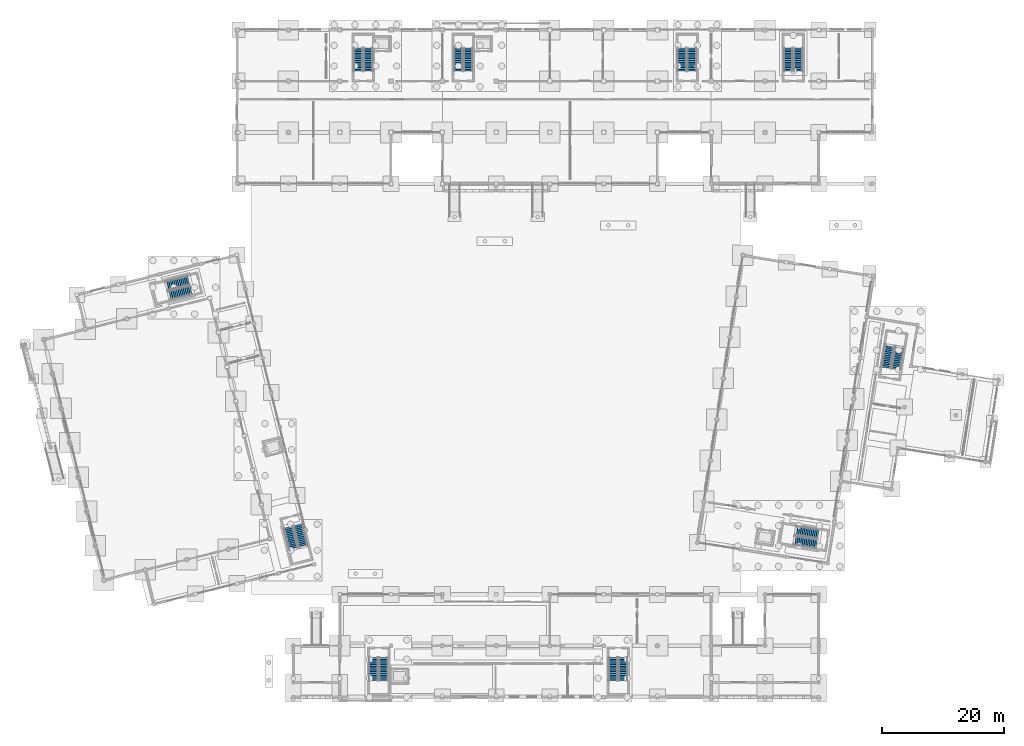
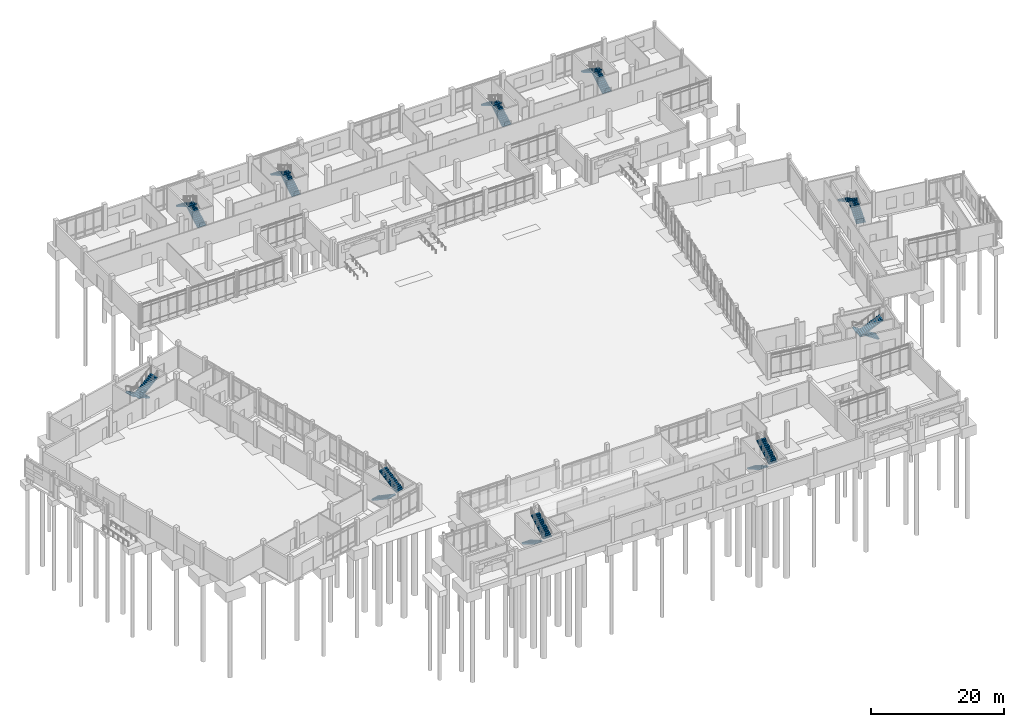
# One storey, part 52 of 72: 20 stair flights, 10 elements without a shape of their own.
"""IFC4 building model written with IfcOpenShell, lengths in metres."""

from ifc_helpers import new_model, si_unit, direction, frame, origin, place, context, subcontext, project, spatial, polyline, outline, extrude, material, type_object, element, aggregate, save


model = new_model("IFC4")

# Units and contexts
model_context = context("Model", 3, precision=1e-05, world=origin(), true_north=direction((0.0, 1.0)))
body_context = subcontext(model_context, "Body", "Model", "MODEL_VIEW")
ifc_project = project(units=[si_unit("LENGTHUNIT", "METRE"), si_unit("AREAUNIT", "SQUARE_METRE"), si_unit("VOLUMEUNIT", "CUBIC_METRE"), si_unit("PLANEANGLEUNIT", "RADIAN"), si_unit("MASSUNIT", "GRAM", prefix="KILO")], contexts=[model_context])

# Site, building, storey
site_placement = place(None, origin())
site = spatial("IfcSite", under=ifc_project, at=site_placement, CompositionType="ELEMENT")
building_placement = place(site_placement, origin())
building = spatial("IfcBuilding", under=site, at=building_placement, Name="Cinderway Yard Community Centre", CompositionType="ELEMENT")
storey_placement = place(building_placement, origin())
storey = spatial("IfcBuildingStorey", under=building, at=storey_placement, Name="L00", CompositionType="ELEMENT", Elevation=0.0)

# Stair, stair flights
ifc_material = material(Name="Concrete C40/50", Category="concrete")
stair_type_1 = type_object("IfcStairType", Name="INT-STR-480A", PredefinedType="HALF_TURN_STAIR", material=ifc_material)
stair_1_placement = place(storey_placement, origin())
stair_1 = element("IfcStair", 1, at=stair_1_placement, inside=storey, type_object=stair_type_1, Name="L00 Core C1 Exit Stair ST-01", PredefinedType="HALF_TURN_STAIR")
stair_flight_type_1 = type_object("IfcStairFlightType", Name="INT-FLT-480A", PredefinedType="STRAIGHT", material=ifc_material)
stair_flight_1_placement = place(storey_placement, frame((63.06005859375, 108.429931640625, 0.0), z_axis=(0.0, 0.0, 1.0), x_axis=(0.0, 1.0, 0.0)))
stair_flight_1 = element("IfcStairFlight", 2, at=stair_flight_1_placement, type_object=stair_flight_type_1, Name="ST-01 flight 1", NumberOfRisers=14, NumberOfTreads=13, PredefinedType="STRAIGHT", RiserHeight=0.171428571, TreadLength=0.29, context=body_context, shape_type="SweptSolid", body=[
    extrude(outline(polyline([(0.0, 0.0), (0.0, 0.17138671875), (0.2900390625, 0.17138671875), (0.2900390625, 0.3427734375), (0.580078125, 0.3427734375), (0.580078125, 0.514404296875), (0.8701171875, 0.514404296875), (0.8701171875, 0.685791015625), (1.159912109375, 0.685791015625), (1.159912109375, 0.857177734375), (1.449951171875, 0.857177734375), (1.449951171875, 1.028564453125), (1.739990234375, 1.028564453125), (1.739990234375, 1.199951171875), (2.030029296875, 1.199951171875), (2.030029296875, 1.371337890625), (2.320068359375, 1.371337890625), (2.320068359375, 1.54296875), (2.610107421875, 1.54296875), (2.610107421875, 1.71435546875), (2.89990234375, 1.71435546875), (2.89990234375, 1.8857421875), (3.18994140625, 1.8857421875), (3.18994140625, 2.05712890625), (3.47998046875, 2.05712890625), (3.47998046875, 2.228515625), (3.77001953125, 2.228515625), (3.77001953125, 2.39990234375), (3.77001953125, 2.042724609375), (0.314208984375, 0.0), (0.0, 0.0)])), frame((0.0, 0.739990234375, 0.0), z_axis=(0.0, -1.0, 0.0), x_axis=(1.0, 0.0, 0.0)), (0.0, 0.0, 1.0), 1.47998046875),
])
stair_flight_2_placement = place(storey_placement, frame((61.419921875, 112.199951171875, 2.39990234375), z_axis=(0.0, 0.0, 1.0), x_axis=(0.0, -1.0, 0.0)))
stair_flight_2 = element("IfcStairFlight", 3, at=stair_flight_2_placement, type_object=stair_flight_type_1, Name="ST-01 flight 2", NumberOfRisers=14, NumberOfTreads=13, PredefinedType="STRAIGHT", RiserHeight=0.171428571, TreadLength=0.29, context=body_context, shape_type="SweptSolid", body=[
    extrude(outline(polyline([(0.0, 0.0), (0.0, 0.17138671875), (0.2900390625, 0.17138671875), (0.2900390625, 0.3427734375), (0.580078125, 0.3427734375), (0.580078125, 0.514404296875), (0.8701171875, 0.514404296875), (0.8701171875, 0.685791015625), (1.159912109375, 0.685791015625), (1.159912109375, 0.857177734375), (1.449951171875, 0.857177734375), (1.449951171875, 1.028564453125), (1.739990234375, 1.028564453125), (1.739990234375, 1.199951171875), (2.030029296875, 1.199951171875), (2.030029296875, 1.371337890625), (2.320068359375, 1.371337890625), (2.320068359375, 1.54296875), (2.610107421875, 1.54296875), (2.610107421875, 1.71435546875), (2.89990234375, 1.71435546875), (2.89990234375, 1.8857421875), (3.18994140625, 1.8857421875), (3.18994140625, 2.05712890625), (3.47998046875, 2.05712890625), (3.47998046875, 2.228515625), (3.77001953125, 2.228515625), (3.77001953125, 2.39990234375), (3.77001953125, 2.042724609375), (0.314208984375, 0.0), (0.0, 0.0)])), frame((0.0, 0.739990234375, 0.0), z_axis=(0.0, -1.0, 0.0), x_axis=(1.0, 0.0, 0.0)), (0.0, 0.0, 1.0), 1.47998046875),
])
aggregate(stair_1, [stair_flight_1, stair_flight_2])

stair_2_placement = place(storey_placement, origin())
stair_2 = element("IfcStair", 4, at=stair_2_placement, inside=storey, type_object=stair_type_1, Name="L00 Core C2B Exit Stair ST-03", PredefinedType="HALF_TURN_STAIR")
stair_flight_3_placement = place(storey_placement, frame((116.06005859375, 108.429931640625, 0.0), z_axis=(0.0, 0.0, 1.0), x_axis=(0.0, 1.0, 0.0)))
stair_flight_3 = element("IfcStairFlight", 5, at=stair_flight_3_placement, type_object=stair_flight_type_1, Name="ST-03 flight 1", NumberOfRisers=14, NumberOfTreads=13, PredefinedType="STRAIGHT", RiserHeight=0.171428571, TreadLength=0.29, context=body_context, shape_type="SweptSolid", body=[
    extrude(outline(polyline([(0.0, 0.0), (0.0, 0.17138671875), (0.2900390625, 0.17138671875), (0.2900390625, 0.3427734375), (0.580078125, 0.3427734375), (0.580078125, 0.514404296875), (0.8701171875, 0.514404296875), (0.8701171875, 0.685791015625), (1.159912109375, 0.685791015625), (1.159912109375, 0.857177734375), (1.449951171875, 0.857177734375), (1.449951171875, 1.028564453125), (1.739990234375, 1.028564453125), (1.739990234375, 1.199951171875), (2.030029296875, 1.199951171875), (2.030029296875, 1.371337890625), (2.320068359375, 1.371337890625), (2.320068359375, 1.54296875), (2.610107421875, 1.54296875), (2.610107421875, 1.71435546875), (2.89990234375, 1.71435546875), (2.89990234375, 1.8857421875), (3.18994140625, 1.8857421875), (3.18994140625, 2.05712890625), (3.47998046875, 2.05712890625), (3.47998046875, 2.228515625), (3.77001953125, 2.228515625), (3.77001953125, 2.39990234375), (3.77001953125, 2.042724609375), (0.314208984375, 0.0), (0.0, 0.0)])), frame((0.0, 0.739990234375, 0.0), z_axis=(0.0, -1.0, 0.0), x_axis=(1.0, 0.0, 0.0)), (0.0, 0.0, 1.0), 1.47998046875),
])
stair_flight_4_placement = place(storey_placement, frame((114.419921875, 112.199951171875, 2.39990234375), z_axis=(0.0, 0.0, 1.0), x_axis=(0.0, -1.0, 0.0)))
stair_flight_4 = element("IfcStairFlight", 6, at=stair_flight_4_placement, type_object=stair_flight_type_1, Name="ST-03 flight 2", NumberOfRisers=14, NumberOfTreads=13, PredefinedType="STRAIGHT", RiserHeight=0.171428571, TreadLength=0.29, context=body_context, shape_type="SweptSolid", body=[
    extrude(outline(polyline([(0.0, 0.0), (0.0, 0.17138671875), (0.2900390625, 0.17138671875), (0.2900390625, 0.3427734375), (0.580078125, 0.3427734375), (0.580078125, 0.514404296875), (0.8701171875, 0.514404296875), (0.8701171875, 0.685791015625), (1.159912109375, 0.685791015625), (1.159912109375, 0.857177734375), (1.449951171875, 0.857177734375), (1.449951171875, 1.028564453125), (1.739990234375, 1.028564453125), (1.739990234375, 1.199951171875), (2.030029296875, 1.199951171875), (2.030029296875, 1.371337890625), (2.320068359375, 1.371337890625), (2.320068359375, 1.54296875), (2.610107421875, 1.54296875), (2.610107421875, 1.71435546875), (2.89990234375, 1.71435546875), (2.89990234375, 1.8857421875), (3.18994140625, 1.8857421875), (3.18994140625, 2.05712890625), (3.47998046875, 2.05712890625), (3.47998046875, 2.228515625), (3.77001953125, 2.228515625), (3.77001953125, 2.39990234375), (3.77001953125, 2.042724609375), (0.314208984375, 0.0), (0.0, 0.0)])), frame((0.0, 0.739990234375, 0.0), z_axis=(0.0, -1.0, 0.0), x_axis=(1.0, 0.0, 0.0)), (0.0, 0.0, 1.0), 1.47998046875),
])
aggregate(stair_2, [stair_flight_3, stair_flight_4])

stair_3_placement = place(storey_placement, origin())
stair_3 = element("IfcStair", 7, at=stair_3_placement, inside=storey, type_object=stair_type_1, Name="L00 Core C3A Exit Stair ST-05", PredefinedType="HALF_TURN_STAIR")
stair_flight_5_placement = place(storey_placement, frame((49.99609375, 33.798095703125, 0.0), z_axis=(0.0, 0.0, 1.0), x_axis=(0.2419218956, -0.970295726276, 0.0)))
stair_flight_5 = element("IfcStairFlight", 8, at=stair_flight_5_placement, type_object=stair_flight_type_1, Name="ST-05 flight 1", NumberOfRisers=14, NumberOfTreads=13, PredefinedType="STRAIGHT", RiserHeight=0.171428571, TreadLength=0.29, context=body_context, shape_type="SweptSolid", body=[
    extrude(outline(polyline([(0.0, 0.0), (0.0, 0.17138671875), (0.2900390625, 0.17138671875), (0.2900390625, 0.3427734375), (0.580078125, 0.3427734375), (0.580078125, 0.514404296875), (0.8701171875, 0.514404296875), (0.8701171875, 0.685791015625), (1.159912109375, 0.685791015625), (1.159912109375, 0.857177734375), (1.449951171875, 0.857177734375), (1.449951171875, 1.028564453125), (1.739990234375, 1.028564453125), (1.739990234375, 1.199951171875), (2.030029296875, 1.199951171875), (2.030029296875, 1.371337890625), (2.320068359375, 1.371337890625), (2.320068359375, 1.54296875), (2.610107421875, 1.54296875), (2.610107421875, 1.71435546875), (2.89990234375, 1.71435546875), (2.89990234375, 1.8857421875), (3.18994140625, 1.8857421875), (3.18994140625, 2.05712890625), (3.47998046875, 2.05712890625), (3.47998046875, 2.228515625), (3.77001953125, 2.228515625), (3.77001953125, 2.39990234375), (3.77001953125, 2.042724609375), (0.314208984375, 0.0), (0.0, 0.0)])), frame((0.0, 0.739990234375, 0.0), z_axis=(0.0, -1.0, 0.0), x_axis=(1.0, 0.0, 0.0)), (0.0, 0.0, 1.0), 1.47998046875),
])
stair_flight_6_placement = place(storey_placement, frame((52.49951171875, 30.53662109375, 2.39990234375), z_axis=(0.0, 0.0, 1.0), x_axis=(-0.2419218956, 0.970295726276, 0.0)))
stair_flight_6 = element("IfcStairFlight", 9, at=stair_flight_6_placement, type_object=stair_flight_type_1, Name="ST-05 flight 2", NumberOfRisers=14, NumberOfTreads=13, PredefinedType="STRAIGHT", RiserHeight=0.171428571, TreadLength=0.29, context=body_context, shape_type="SweptSolid", body=[
    extrude(outline(polyline([(0.0, 0.0), (0.0, 0.17138671875), (0.2900390625, 0.17138671875), (0.2900390625, 0.3427734375), (0.580078125, 0.3427734375), (0.580078125, 0.514404296875), (0.8701171875, 0.514404296875), (0.8701171875, 0.685791015625), (1.159912109375, 0.685791015625), (1.159912109375, 0.857177734375), (1.449951171875, 0.857177734375), (1.449951171875, 1.028564453125), (1.739990234375, 1.028564453125), (1.739990234375, 1.199951171875), (2.030029296875, 1.199951171875), (2.030029296875, 1.371337890625), (2.320068359375, 1.371337890625), (2.320068359375, 1.54296875), (2.610107421875, 1.54296875), (2.610107421875, 1.71435546875), (2.89990234375, 1.71435546875), (2.89990234375, 1.8857421875), (3.18994140625, 1.8857421875), (3.18994140625, 2.05712890625), (3.47998046875, 2.05712890625), (3.47998046875, 2.228515625), (3.77001953125, 2.228515625), (3.77001953125, 2.39990234375), (3.77001953125, 2.042724609375), (0.314208984375, 0.0), (0.0, 0.0)])), frame((0.0, 0.739990234375, 0.0), z_axis=(0.0, -1.0, 0.0), x_axis=(1.0, 0.0, 0.0)), (0.0, 0.0, 1.0), 1.47998046875),
])
aggregate(stair_3, [stair_flight_5, stair_flight_6])

stair_4_placement = place(storey_placement, origin())
stair_4 = element("IfcStair", 10, at=stair_4_placement, inside=storey, type_object=stair_type_1, Name="L00 Core C4A Exit Stair ST-07", PredefinedType="HALF_TURN_STAIR")
stair_flight_7_placement = place(storey_placement, frame((136.716552734375, 32.666748046875, 0.0), z_axis=(0.0, 0.0, 1.0), x_axis=(-0.987688340595, 0.15643446504, 0.0)))
stair_flight_7 = element("IfcStairFlight", 11, at=stair_flight_7_placement, type_object=stair_flight_type_1, Name="ST-07 flight 1", NumberOfRisers=14, NumberOfTreads=13, PredefinedType="STRAIGHT", RiserHeight=0.171428571, TreadLength=0.29, context=body_context, shape_type="SweptSolid", body=[
    extrude(outline(polyline([(0.0, 0.0), (0.0, 0.17138671875), (0.2900390625, 0.17138671875), (0.2900390625, 0.3427734375), (0.580078125, 0.3427734375), (0.580078125, 0.514404296875), (0.8701171875, 0.514404296875), (0.8701171875, 0.685791015625), (1.159912109375, 0.685791015625), (1.159912109375, 0.857177734375), (1.449951171875, 0.857177734375), (1.449951171875, 1.028564453125), (1.739990234375, 1.028564453125), (1.739990234375, 1.199951171875), (2.030029296875, 1.199951171875), (2.030029296875, 1.371337890625), (2.320068359375, 1.371337890625), (2.320068359375, 1.54296875), (2.610107421875, 1.54296875), (2.610107421875, 1.71435546875), (2.89990234375, 1.71435546875), (2.89990234375, 1.8857421875), (3.18994140625, 1.8857421875), (3.18994140625, 2.05712890625), (3.47998046875, 2.05712890625), (3.47998046875, 2.228515625), (3.77001953125, 2.228515625), (3.77001953125, 2.39990234375), (3.77001953125, 2.042724609375), (0.314208984375, 0.0), (0.0, 0.0)])), frame((0.0, 0.739990234375, 0.0), z_axis=(0.0, -1.0, 0.0), x_axis=(1.0, 0.0, 0.0)), (0.0, 0.0, 1.0), 1.47998046875),
])
stair_flight_8_placement = place(storey_placement, frame((132.736328125, 31.636474609375, 2.39990234375), z_axis=(0.0, 0.0, 1.0), x_axis=(0.987688340595, -0.15643446504, 0.0)))
stair_flight_8 = element("IfcStairFlight", 12, at=stair_flight_8_placement, type_object=stair_flight_type_1, Name="ST-07 flight 2", NumberOfRisers=14, NumberOfTreads=13, PredefinedType="STRAIGHT", RiserHeight=0.171428571, TreadLength=0.29, context=body_context, shape_type="SweptSolid", body=[
    extrude(outline(polyline([(0.0, 0.0), (0.0, 0.17138671875), (0.2900390625, 0.17138671875), (0.2900390625, 0.3427734375), (0.580078125, 0.3427734375), (0.580078125, 0.514404296875), (0.8701171875, 0.514404296875), (0.8701171875, 0.685791015625), (1.159912109375, 0.685791015625), (1.159912109375, 0.857177734375), (1.449951171875, 0.857177734375), (1.449951171875, 1.028564453125), (1.739990234375, 1.028564453125), (1.739990234375, 1.199951171875), (2.030029296875, 1.199951171875), (2.030029296875, 1.371337890625), (2.320068359375, 1.371337890625), (2.320068359375, 1.54296875), (2.610107421875, 1.54296875), (2.610107421875, 1.71435546875), (2.89990234375, 1.71435546875), (2.89990234375, 1.8857421875), (3.18994140625, 1.8857421875), (3.18994140625, 2.05712890625), (3.47998046875, 2.05712890625), (3.47998046875, 2.228515625), (3.77001953125, 2.228515625), (3.77001953125, 2.39990234375), (3.77001953125, 2.042724609375), (0.314208984375, 0.0), (0.0, 0.0)])), frame((0.0, 0.739990234375, 0.0), z_axis=(0.0, -1.0, 0.0), x_axis=(1.0, 0.0, 0.0)), (0.0, 0.0, 1.0), 1.47998046875),
])
aggregate(stair_4, [stair_flight_7, stair_flight_8])

stair_5_placement = place(storey_placement, origin())
stair_5 = element("IfcStair", 13, at=stair_5_placement, inside=storey, type_object=stair_type_1, Name="L00 Core C5A Exit Stair ST-09", PredefinedType="HALF_TURN_STAIR")
stair_flight_9_placement = place(storey_placement, frame((63.93994140625, 12.469970703125, 0.0), z_axis=(0.0, 0.0, 1.0), x_axis=(0.0, -1.0, 0.0)))
stair_flight_9 = element("IfcStairFlight", 14, at=stair_flight_9_placement, type_object=stair_flight_type_1, Name="ST-09 flight 1", NumberOfRisers=14, NumberOfTreads=13, PredefinedType="STRAIGHT", RiserHeight=0.171428571, TreadLength=0.29, context=body_context, shape_type="SweptSolid", body=[
    extrude(outline(polyline([(0.0, 0.0), (0.0, 0.17138671875), (0.2900390625, 0.17138671875), (0.2900390625, 0.3427734375), (0.580078125, 0.3427734375), (0.580078125, 0.514404296875), (0.8701171875, 0.514404296875), (0.8701171875, 0.685791015625), (1.159912109375, 0.685791015625), (1.159912109375, 0.857177734375), (1.449951171875, 0.857177734375), (1.449951171875, 1.028564453125), (1.739990234375, 1.028564453125), (1.739990234375, 1.199951171875), (2.030029296875, 1.199951171875), (2.030029296875, 1.371337890625), (2.320068359375, 1.371337890625), (2.320068359375, 1.54296875), (2.610107421875, 1.54296875), (2.610107421875, 1.71435546875), (2.89990234375, 1.71435546875), (2.89990234375, 1.8857421875), (3.18994140625, 1.8857421875), (3.18994140625, 2.05712890625), (3.47998046875, 2.05712890625), (3.47998046875, 2.228515625), (3.77001953125, 2.228515625), (3.77001953125, 2.39990234375), (3.77001953125, 2.042724609375), (0.314208984375, 0.0), (0.0, 0.0)])), frame((0.0, 0.739990234375, 0.0), z_axis=(0.0, -1.0, 0.0), x_axis=(1.0, 0.0, 0.0)), (0.0, 0.0, 1.0), 1.47998046875),
])
stair_flight_10_placement = place(storey_placement, frame((65.580078125, 8.699951171875, 2.39990234375), z_axis=(0.0, 0.0, 1.0), x_axis=(0.0, 1.0, 0.0)))
stair_flight_10 = element("IfcStairFlight", 15, at=stair_flight_10_placement, type_object=stair_flight_type_1, Name="ST-09 flight 2", NumberOfRisers=14, NumberOfTreads=13, PredefinedType="STRAIGHT", RiserHeight=0.171428571, TreadLength=0.29, context=body_context, shape_type="SweptSolid", body=[
    extrude(outline(polyline([(0.0, 0.0), (0.0, 0.17138671875), (0.2900390625, 0.17138671875), (0.2900390625, 0.3427734375), (0.580078125, 0.3427734375), (0.580078125, 0.514404296875), (0.8701171875, 0.514404296875), (0.8701171875, 0.685791015625), (1.159912109375, 0.685791015625), (1.159912109375, 0.857177734375), (1.449951171875, 0.857177734375), (1.449951171875, 1.028564453125), (1.739990234375, 1.028564453125), (1.739990234375, 1.199951171875), (2.030029296875, 1.199951171875), (2.030029296875, 1.371337890625), (2.320068359375, 1.371337890625), (2.320068359375, 1.54296875), (2.610107421875, 1.54296875), (2.610107421875, 1.71435546875), (2.89990234375, 1.71435546875), (2.89990234375, 1.8857421875), (3.18994140625, 1.8857421875), (3.18994140625, 2.05712890625), (3.47998046875, 2.05712890625), (3.47998046875, 2.228515625), (3.77001953125, 2.228515625), (3.77001953125, 2.39990234375), (3.77001953125, 2.042724609375), (0.314208984375, 0.0), (0.0, 0.0)])), frame((0.0, 0.739990234375, 0.0), z_axis=(0.0, -1.0, 0.0), x_axis=(1.0, 0.0, 0.0)), (0.0, 0.0, 1.0), 1.47998046875),
])
aggregate(stair_5, [stair_flight_9, stair_flight_10])

stair_type_2 = type_object("IfcStairType", Name="INT-STR-480B", PredefinedType="HALF_TURN_STAIR", material=ifc_material)
stair_6_placement = place(storey_placement, origin())
stair_6 = element("IfcStair", 16, at=stair_6_placement, inside=storey, type_object=stair_type_2, Name="L00 Core C2A Exit Stair ST-02", PredefinedType="HALF_TURN_STAIR")
stair_flight_type_2 = type_object("IfcStairFlightType", Name="INT-FLT-480B", PredefinedType="STRAIGHT", material=ifc_material)
stair_flight_11_placement = place(storey_placement, frame((79.4599609375, 108.429931640625, 0.0), z_axis=(0.0, 0.0, 1.0), x_axis=(0.0, 1.0, 0.0)))
stair_flight_11 = element("IfcStairFlight", 17, at=stair_flight_11_placement, type_object=stair_flight_type_2, Name="ST-02 flight 1", NumberOfRisers=14, NumberOfTreads=13, PredefinedType="STRAIGHT", RiserHeight=0.171428571, TreadLength=0.29, context=body_context, shape_type="SweptSolid", body=[
    extrude(outline(polyline([(0.0, 0.0), (0.0, 0.17138671875), (0.2900390625, 0.17138671875), (0.2900390625, 0.3427734375), (0.580078125, 0.3427734375), (0.580078125, 0.514404296875), (0.8701171875, 0.514404296875), (0.8701171875, 0.685791015625), (1.159912109375, 0.685791015625), (1.159912109375, 0.857177734375), (1.449951171875, 0.857177734375), (1.449951171875, 1.028564453125), (1.739990234375, 1.028564453125), (1.739990234375, 1.199951171875), (2.030029296875, 1.199951171875), (2.030029296875, 1.371337890625), (2.320068359375, 1.371337890625), (2.320068359375, 1.54296875), (2.610107421875, 1.54296875), (2.610107421875, 1.71435546875), (2.89990234375, 1.71435546875), (2.89990234375, 1.8857421875), (3.18994140625, 1.8857421875), (3.18994140625, 2.05712890625), (3.47998046875, 2.05712890625), (3.47998046875, 2.228515625), (3.77001953125, 2.228515625), (3.77001953125, 2.39990234375), (3.77001953125, 2.042724609375), (0.314208984375, 0.0), (0.0, 0.0)])), frame((0.0, 0.739990234375, 0.0), z_axis=(0.0, -1.0, 0.0), x_axis=(1.0, 0.0, 0.0)), (0.0, 0.0, 1.0), 1.47998046875),
])
stair_flight_12_placement = place(storey_placement, frame((77.820068359375, 112.199951171875, 2.39990234375), z_axis=(0.0, 0.0, 1.0), x_axis=(0.0, -1.0, 0.0)))
stair_flight_12 = element("IfcStairFlight", 18, at=stair_flight_12_placement, type_object=stair_flight_type_2, Name="ST-02 flight 2", NumberOfRisers=14, NumberOfTreads=13, PredefinedType="STRAIGHT", RiserHeight=0.171428571, TreadLength=0.29, context=body_context, shape_type="SweptSolid", body=[
    extrude(outline(polyline([(0.0, 0.0), (0.0, 0.17138671875), (0.2900390625, 0.17138671875), (0.2900390625, 0.3427734375), (0.580078125, 0.3427734375), (0.580078125, 0.514404296875), (0.8701171875, 0.514404296875), (0.8701171875, 0.685791015625), (1.159912109375, 0.685791015625), (1.159912109375, 0.857177734375), (1.449951171875, 0.857177734375), (1.449951171875, 1.028564453125), (1.739990234375, 1.028564453125), (1.739990234375, 1.199951171875), (2.030029296875, 1.199951171875), (2.030029296875, 1.371337890625), (2.320068359375, 1.371337890625), (2.320068359375, 1.54296875), (2.610107421875, 1.54296875), (2.610107421875, 1.71435546875), (2.89990234375, 1.71435546875), (2.89990234375, 1.8857421875), (3.18994140625, 1.8857421875), (3.18994140625, 2.05712890625), (3.47998046875, 2.05712890625), (3.47998046875, 2.228515625), (3.77001953125, 2.228515625), (3.77001953125, 2.39990234375), (3.77001953125, 2.042724609375), (0.314208984375, 0.0), (0.0, 0.0)])), frame((0.0, 0.739990234375, 0.0), z_axis=(0.0, -1.0, 0.0), x_axis=(1.0, 0.0, 0.0)), (0.0, 0.0, 1.0), 1.47998046875),
])
aggregate(stair_6, [stair_flight_11, stair_flight_12])

stair_7_placement = place(storey_placement, origin())
stair_7 = element("IfcStair", 19, at=stair_7_placement, inside=storey, type_object=stair_type_2, Name="L00 Core C2C Exit Stair ST-04", PredefinedType="HALF_TURN_STAIR")
stair_flight_13_placement = place(storey_placement, frame((133.4599609375, 108.429931640625, 0.0), z_axis=(0.0, 0.0, 1.0), x_axis=(0.0, 1.0, 0.0)))
stair_flight_13 = element("IfcStairFlight", 20, at=stair_flight_13_placement, type_object=stair_flight_type_2, Name="ST-04 flight 1", NumberOfRisers=14, NumberOfTreads=13, PredefinedType="STRAIGHT", RiserHeight=0.171428571, TreadLength=0.29, context=body_context, shape_type="SweptSolid", body=[
    extrude(outline(polyline([(0.0, 0.0), (0.0, 0.17138671875), (0.2900390625, 0.17138671875), (0.2900390625, 0.3427734375), (0.580078125, 0.3427734375), (0.580078125, 0.514404296875), (0.8701171875, 0.514404296875), (0.8701171875, 0.685791015625), (1.159912109375, 0.685791015625), (1.159912109375, 0.857177734375), (1.449951171875, 0.857177734375), (1.449951171875, 1.028564453125), (1.739990234375, 1.028564453125), (1.739990234375, 1.199951171875), (2.030029296875, 1.199951171875), (2.030029296875, 1.371337890625), (2.320068359375, 1.371337890625), (2.320068359375, 1.54296875), (2.610107421875, 1.54296875), (2.610107421875, 1.71435546875), (2.89990234375, 1.71435546875), (2.89990234375, 1.8857421875), (3.18994140625, 1.8857421875), (3.18994140625, 2.05712890625), (3.47998046875, 2.05712890625), (3.47998046875, 2.228515625), (3.77001953125, 2.228515625), (3.77001953125, 2.39990234375), (3.77001953125, 2.042724609375), (0.314208984375, 0.0), (0.0, 0.0)])), frame((0.0, 0.739990234375, 0.0), z_axis=(0.0, -1.0, 0.0), x_axis=(1.0, 0.0, 0.0)), (0.0, 0.0, 1.0), 1.47998046875),
])
stair_flight_14_placement = place(storey_placement, frame((131.820068359375, 112.199951171875, 2.39990234375), z_axis=(0.0, 0.0, 1.0), x_axis=(0.0, -1.0, 0.0)))
stair_flight_14 = element("IfcStairFlight", 21, at=stair_flight_14_placement, type_object=stair_flight_type_2, Name="ST-04 flight 2", NumberOfRisers=14, NumberOfTreads=13, PredefinedType="STRAIGHT", RiserHeight=0.171428571, TreadLength=0.29, context=body_context, shape_type="SweptSolid", body=[
    extrude(outline(polyline([(0.0, 0.0), (0.0, 0.17138671875), (0.2900390625, 0.17138671875), (0.2900390625, 0.3427734375), (0.580078125, 0.3427734375), (0.580078125, 0.514404296875), (0.8701171875, 0.514404296875), (0.8701171875, 0.685791015625), (1.159912109375, 0.685791015625), (1.159912109375, 0.857177734375), (1.449951171875, 0.857177734375), (1.449951171875, 1.028564453125), (1.739990234375, 1.028564453125), (1.739990234375, 1.199951171875), (2.030029296875, 1.199951171875), (2.030029296875, 1.371337890625), (2.320068359375, 1.371337890625), (2.320068359375, 1.54296875), (2.610107421875, 1.54296875), (2.610107421875, 1.71435546875), (2.89990234375, 1.71435546875), (2.89990234375, 1.8857421875), (3.18994140625, 1.8857421875), (3.18994140625, 2.05712890625), (3.47998046875, 2.05712890625), (3.47998046875, 2.228515625), (3.77001953125, 2.228515625), (3.77001953125, 2.39990234375), (3.77001953125, 2.042724609375), (0.314208984375, 0.0), (0.0, 0.0)])), frame((0.0, 0.739990234375, 0.0), z_axis=(0.0, -1.0, 0.0), x_axis=(1.0, 0.0, 0.0)), (0.0, 0.0, 1.0), 1.47998046875),
])
aggregate(stair_7, [stair_flight_13, stair_flight_14])

stair_8_placement = place(storey_placement, origin())
stair_8 = element("IfcStair", 22, at=stair_8_placement, inside=storey, type_object=stair_type_2, Name="L00 Core C3B Exit Stair ST-06", PredefinedType="HALF_TURN_STAIR")
stair_flight_15_placement = place(storey_placement, frame((33.669921875, 74.18798828125, 0.0), z_axis=(0.0, 0.0, 1.0), x_axis=(-0.970295726276, -0.2419218956, 0.0)))
stair_flight_15 = element("IfcStairFlight", 23, at=stair_flight_15_placement, type_object=stair_flight_type_2, Name="ST-06 flight 1", NumberOfRisers=14, NumberOfTreads=13, PredefinedType="STRAIGHT", RiserHeight=0.171428571, TreadLength=0.29, context=body_context, shape_type="SweptSolid", body=[
    extrude(outline(polyline([(0.0, 0.0), (0.0, 0.17138671875), (0.2900390625, 0.17138671875), (0.2900390625, 0.3427734375), (0.580078125, 0.3427734375), (0.580078125, 0.514404296875), (0.8701171875, 0.514404296875), (0.8701171875, 0.685791015625), (1.159912109375, 0.685791015625), (1.159912109375, 0.857177734375), (1.449951171875, 0.857177734375), (1.449951171875, 1.028564453125), (1.739990234375, 1.028564453125), (1.739990234375, 1.199951171875), (2.030029296875, 1.199951171875), (2.030029296875, 1.371337890625), (2.320068359375, 1.371337890625), (2.320068359375, 1.54296875), (2.610107421875, 1.54296875), (2.610107421875, 1.71435546875), (2.89990234375, 1.71435546875), (2.89990234375, 1.8857421875), (3.18994140625, 1.8857421875), (3.18994140625, 2.05712890625), (3.47998046875, 2.05712890625), (3.47998046875, 2.228515625), (3.77001953125, 2.228515625), (3.77001953125, 2.39990234375), (3.77001953125, 2.042724609375), (0.314208984375, 0.0), (0.0, 0.0)])), frame((0.0, 0.739990234375, 0.0), z_axis=(0.0, -1.0, 0.0), x_axis=(1.0, 0.0, 0.0)), (0.0, 0.0, 1.0), 1.47998046875),
])
stair_flight_16_placement = place(storey_placement, frame((30.40869140625, 71.6845703125, 2.39990234375), z_axis=(0.0, 0.0, 1.0), x_axis=(0.970295726276, 0.2419218956, 0.0)))
stair_flight_16 = element("IfcStairFlight", 24, at=stair_flight_16_placement, type_object=stair_flight_type_2, Name="ST-06 flight 2", NumberOfRisers=14, NumberOfTreads=13, PredefinedType="STRAIGHT", RiserHeight=0.171428571, TreadLength=0.29, context=body_context, shape_type="SweptSolid", body=[
    extrude(outline(polyline([(0.0, 0.0), (0.0, 0.17138671875), (0.2900390625, 0.17138671875), (0.2900390625, 0.3427734375), (0.580078125, 0.3427734375), (0.580078125, 0.514404296875), (0.8701171875, 0.514404296875), (0.8701171875, 0.685791015625), (1.159912109375, 0.685791015625), (1.159912109375, 0.857177734375), (1.449951171875, 0.857177734375), (1.449951171875, 1.028564453125), (1.739990234375, 1.028564453125), (1.739990234375, 1.199951171875), (2.030029296875, 1.199951171875), (2.030029296875, 1.371337890625), (2.320068359375, 1.371337890625), (2.320068359375, 1.54296875), (2.610107421875, 1.54296875), (2.610107421875, 1.71435546875), (2.89990234375, 1.71435546875), (2.89990234375, 1.8857421875), (3.18994140625, 1.8857421875), (3.18994140625, 2.05712890625), (3.47998046875, 2.05712890625), (3.47998046875, 2.228515625), (3.77001953125, 2.228515625), (3.77001953125, 2.39990234375), (3.77001953125, 2.042724609375), (0.314208984375, 0.0), (0.0, 0.0)])), frame((0.0, 0.739990234375, 0.0), z_axis=(0.0, -1.0, 0.0), x_axis=(1.0, 0.0, 0.0)), (0.0, 0.0, 1.0), 1.47998046875),
])
aggregate(stair_8, [stair_flight_15, stair_flight_16])

stair_9_placement = place(storey_placement, origin())
stair_9 = element("IfcStair", 25, at=stair_9_placement, inside=storey, type_object=stair_type_2, Name="L00 Core C4B Exit Stair ST-08", PredefinedType="HALF_TURN_STAIR")
stair_flight_17_placement = place(storey_placement, frame((149.4306640625, 59.629638671875, 0.0), z_axis=(0.0, 0.0, 1.0), x_axis=(0.15643446504, 0.987688340595, 0.0)))
stair_flight_17 = element("IfcStairFlight", 26, at=stair_flight_17_placement, type_object=stair_flight_type_2, Name="ST-08 flight 1", NumberOfRisers=14, NumberOfTreads=13, PredefinedType="STRAIGHT", RiserHeight=0.171428571, TreadLength=0.29, context=body_context, shape_type="SweptSolid", body=[
    extrude(outline(polyline([(0.0, 0.0), (0.0, 0.17138671875), (0.2900390625, 0.17138671875), (0.2900390625, 0.3427734375), (0.580078125, 0.3427734375), (0.580078125, 0.514404296875), (0.8701171875, 0.514404296875), (0.8701171875, 0.685791015625), (1.159912109375, 0.685791015625), (1.159912109375, 0.857177734375), (1.449951171875, 0.857177734375), (1.449951171875, 1.028564453125), (1.739990234375, 1.028564453125), (1.739990234375, 1.199951171875), (2.030029296875, 1.199951171875), (2.030029296875, 1.371337890625), (2.320068359375, 1.371337890625), (2.320068359375, 1.54296875), (2.610107421875, 1.54296875), (2.610107421875, 1.71435546875), (2.89990234375, 1.71435546875), (2.89990234375, 1.8857421875), (3.18994140625, 1.8857421875), (3.18994140625, 2.05712890625), (3.47998046875, 2.05712890625), (3.47998046875, 2.228515625), (3.77001953125, 2.228515625), (3.77001953125, 2.39990234375), (3.77001953125, 2.042724609375), (0.314208984375, 0.0), (0.0, 0.0)])), frame((0.0, 0.739990234375, 0.0), z_axis=(0.0, -1.0, 0.0), x_axis=(1.0, 0.0, 0.0)), (0.0, 0.0, 1.0), 1.47998046875),
])
stair_flight_18_placement = place(storey_placement, frame((148.400634765625, 63.609619140625, 2.39990234375), z_axis=(0.0, 0.0, 1.0), x_axis=(-0.15643446504, -0.987688340595, 0.0)))
stair_flight_18 = element("IfcStairFlight", 27, at=stair_flight_18_placement, type_object=stair_flight_type_2, Name="ST-08 flight 2", NumberOfRisers=14, NumberOfTreads=13, PredefinedType="STRAIGHT", RiserHeight=0.171428571, TreadLength=0.29, context=body_context, shape_type="SweptSolid", body=[
    extrude(outline(polyline([(0.0, 0.0), (0.0, 0.17138671875), (0.2900390625, 0.17138671875), (0.2900390625, 0.3427734375), (0.580078125, 0.3427734375), (0.580078125, 0.514404296875), (0.8701171875, 0.514404296875), (0.8701171875, 0.685791015625), (1.159912109375, 0.685791015625), (1.159912109375, 0.857177734375), (1.449951171875, 0.857177734375), (1.449951171875, 1.028564453125), (1.739990234375, 1.028564453125), (1.739990234375, 1.199951171875), (2.030029296875, 1.199951171875), (2.030029296875, 1.371337890625), (2.320068359375, 1.371337890625), (2.320068359375, 1.54296875), (2.610107421875, 1.54296875), (2.610107421875, 1.71435546875), (2.89990234375, 1.71435546875), (2.89990234375, 1.8857421875), (3.18994140625, 1.8857421875), (3.18994140625, 2.05712890625), (3.47998046875, 2.05712890625), (3.47998046875, 2.228515625), (3.77001953125, 2.228515625), (3.77001953125, 2.39990234375), (3.77001953125, 2.042724609375), (0.314208984375, 0.0), (0.0, 0.0)])), frame((0.0, 0.739990234375, 0.0), z_axis=(0.0, -1.0, 0.0), x_axis=(1.0, 0.0, 0.0)), (0.0, 0.0, 1.0), 1.47998046875),
])
aggregate(stair_9, [stair_flight_17, stair_flight_18])

stair_10_placement = place(storey_placement, origin())
stair_10 = element("IfcStair", 28, at=stair_10_placement, inside=storey, type_object=stair_type_2, Name="L00 Core C5B Exit Stair ST-10", PredefinedType="HALF_TURN_STAIR")
stair_flight_19_placement = place(storey_placement, frame((103.139892578125, 12.469970703125, 0.0), z_axis=(0.0, 0.0, 1.0), x_axis=(0.0, -1.0, 0.0)))
stair_flight_19 = element("IfcStairFlight", 29, at=stair_flight_19_placement, type_object=stair_flight_type_2, Name="ST-10 flight 1", NumberOfRisers=14, NumberOfTreads=13, PredefinedType="STRAIGHT", RiserHeight=0.171428571, TreadLength=0.29, context=body_context, shape_type="SweptSolid", body=[
    extrude(outline(polyline([(0.0, 0.0), (0.0, 0.17138671875), (0.2900390625, 0.17138671875), (0.2900390625, 0.3427734375), (0.580078125, 0.3427734375), (0.580078125, 0.514404296875), (0.8701171875, 0.514404296875), (0.8701171875, 0.685791015625), (1.159912109375, 0.685791015625), (1.159912109375, 0.857177734375), (1.449951171875, 0.857177734375), (1.449951171875, 1.028564453125), (1.739990234375, 1.028564453125), (1.739990234375, 1.199951171875), (2.030029296875, 1.199951171875), (2.030029296875, 1.371337890625), (2.320068359375, 1.371337890625), (2.320068359375, 1.54296875), (2.610107421875, 1.54296875), (2.610107421875, 1.71435546875), (2.89990234375, 1.71435546875), (2.89990234375, 1.8857421875), (3.18994140625, 1.8857421875), (3.18994140625, 2.05712890625), (3.47998046875, 2.05712890625), (3.47998046875, 2.228515625), (3.77001953125, 2.228515625), (3.77001953125, 2.39990234375), (3.77001953125, 2.042724609375), (0.314208984375, 0.0), (0.0, 0.0)])), frame((0.0, 0.739990234375, 0.0), z_axis=(0.0, -1.0, 0.0), x_axis=(1.0, 0.0, 0.0)), (0.0, 0.0, 1.0), 1.47998046875),
])
stair_flight_20_placement = place(storey_placement, frame((104.780029296875, 8.699951171875, 2.39990234375), z_axis=(0.0, 0.0, 1.0), x_axis=(0.0, 1.0, 0.0)))
stair_flight_20 = element("IfcStairFlight", 30, at=stair_flight_20_placement, type_object=stair_flight_type_2, Name="ST-10 flight 2", NumberOfRisers=14, NumberOfTreads=13, PredefinedType="STRAIGHT", RiserHeight=0.171428571, TreadLength=0.29, context=body_context, shape_type="SweptSolid", body=[
    extrude(outline(polyline([(0.0, 0.0), (0.0, 0.17138671875), (0.2900390625, 0.17138671875), (0.2900390625, 0.3427734375), (0.580078125, 0.3427734375), (0.580078125, 0.514404296875), (0.8701171875, 0.514404296875), (0.8701171875, 0.685791015625), (1.159912109375, 0.685791015625), (1.159912109375, 0.857177734375), (1.449951171875, 0.857177734375), (1.449951171875, 1.028564453125), (1.739990234375, 1.028564453125), (1.739990234375, 1.199951171875), (2.030029296875, 1.199951171875), (2.030029296875, 1.371337890625), (2.320068359375, 1.371337890625), (2.320068359375, 1.54296875), (2.610107421875, 1.54296875), (2.610107421875, 1.71435546875), (2.89990234375, 1.71435546875), (2.89990234375, 1.8857421875), (3.18994140625, 1.8857421875), (3.18994140625, 2.05712890625), (3.47998046875, 2.05712890625), (3.47998046875, 2.228515625), (3.77001953125, 2.228515625), (3.77001953125, 2.39990234375), (3.77001953125, 2.042724609375), (0.314208984375, 0.0), (0.0, 0.0)])), frame((0.0, 0.739990234375, 0.0), z_axis=(0.0, -1.0, 0.0), x_axis=(1.0, 0.0, 0.0)), (0.0, 0.0, 1.0), 1.47998046875),
])
aggregate(stair_10, [stair_flight_19, stair_flight_20])

save(model, "model.ifc")
